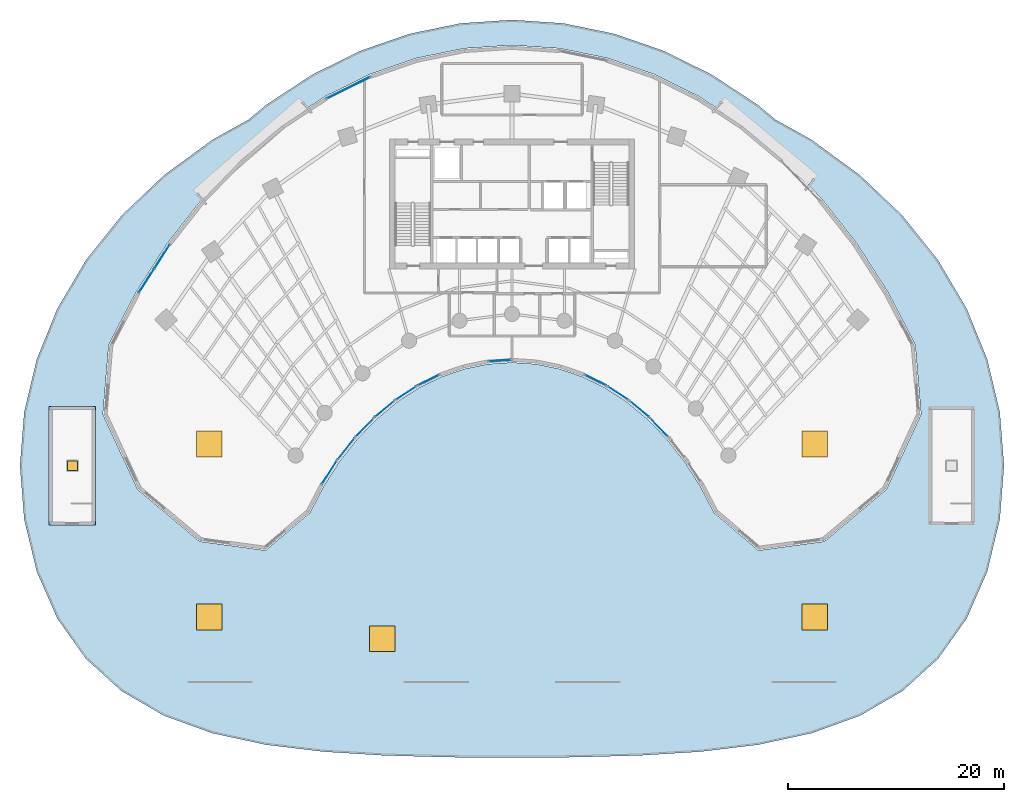
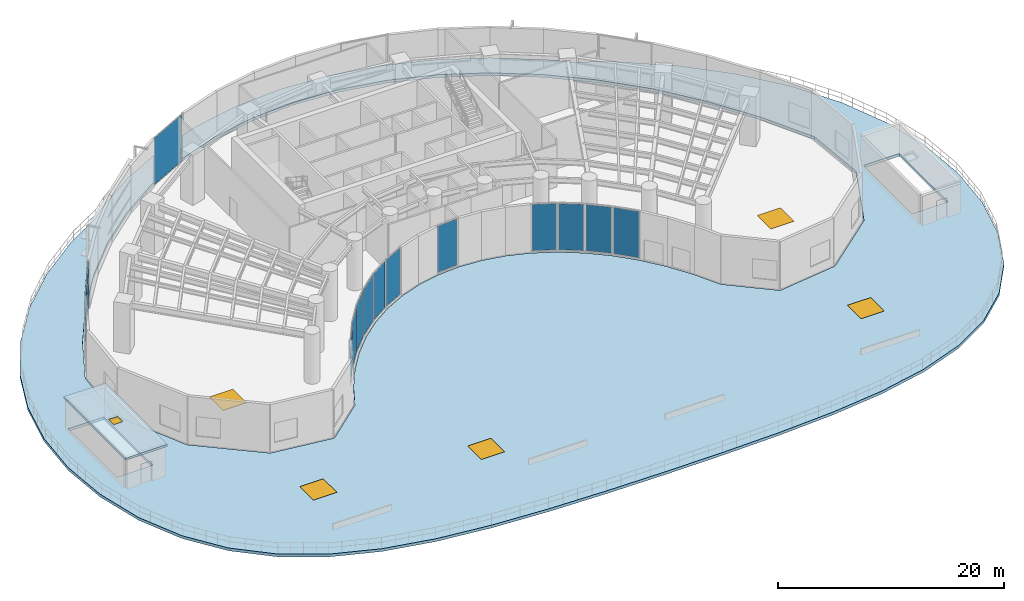
# One storey, part 7 of 17: 16 plates, 5 windows, 2 slabs, 1 door, 6 openings, 13 elements without a shape of their own.
"""IFC4 building model written with IfcOpenShell, lengths in metres."""

from ifc_helpers import new_model, si_unit, direction, frame, origin, origin_2d, place, context, subcontext, project, spatial, polyline, rectangle, outline, extrude, source, transform, mapped, material, layer, layer_set, type_object, type_shapes, element, fill, aggregate, save


model = new_model("IFC4")

# Units and contexts
model_context = context("Model", 3, precision=1e-05, world=origin(), true_north=direction((0.0, 1.0)))
body_context = subcontext(model_context, "Body", "Model", "MODEL_VIEW")
ifc_project = project(units=[si_unit("LENGTHUNIT", "METRE"), si_unit("AREAUNIT", "SQUARE_METRE"), si_unit("VOLUMEUNIT", "CUBIC_METRE"), si_unit("PLANEANGLEUNIT", "RADIAN"), si_unit("MASSUNIT", "GRAM", prefix="KILO")], contexts=[model_context])

# Site, building, storey
site_placement = place(None, origin())
site = spatial("IfcSite", under=ifc_project, at=site_placement, CompositionType="ELEMENT")
building_placement = place(site_placement, origin())
building = spatial("IfcBuilding", under=site, at=building_placement, Name="Breltana Convention Tower", CompositionType="ELEMENT")
storey_placement = place(building_placement, frame((0.0, 0.0, 30.0)))
storey = spatial("IfcBuildingStorey", under=building, at=storey_placement, Name="L05", CompositionType="ELEMENT", Elevation=30.0)

# Slab, opening, door
ifc_material_1 = material(Name="Concrete C40/50", Category="concrete")
ifc_layer_1 = layer(ifc_material_1, 0.2099609375, Name="Concrete C40/50")
ifc_layer_set_1 = layer_set([ifc_layer_1], Name="Concrete C40/50")
slab_type_1 = type_object("IfcSlabType", Name="SL-CANOPY-210", PredefinedType="ROOF", material=ifc_layer_set_1)
slab_1_placement = place(storey_placement, frame((0.0, 0.0, 3.18994140625)))
slab_1 = element("IfcSlab", 1, at=slab_1_placement, inside=storey, type_object=slab_type_1, Name="L05 ST3 stair headhouse roof slab", PredefinedType="ROOF", context=body_context, shape_type="SweptSolid", body=[
    extrude(outline(polyline([(5.199951171875, 36.5), (9.5, 36.5), (9.5, 47.5), (5.199951171875, 47.5), (5.199951171875, 36.5)])), origin(), (0.0, 0.0, 1.0), 0.2099609375),
])
opening_1_placement = place(slab_1_placement, frame((7.35009765625, 42.0, -0.010009765625)))
opening_1 = element("IfcOpeningElement", 2, at=opening_1_placement, cuts=slab_1, Name="Opening RH-02", PredefinedType="OPENING", context=body_context, shape_type="SweptSolid", body=[
    extrude(rectangle(XDim=0.89990234375, YDim=0.89990234375, at=origin_2d()), origin(), (0.0, 0.0, 1.0), 0.22998046875),
])
ifc_material_2 = material(Name="Steel Checkered Access Hatch", Category="steel")
door_type = type_object("IfcDoorType", Name="DR-HATCH-900", OperationType="SINGLE_SWING_LEFT", PredefinedType="TRAPDOOR", material=ifc_material_2)
door_placement = place(slab_1_placement, frame((7.35009765625, 42.0, 0.159912109375)))
door = element("IfcDoor", 3, at=door_placement, inside=storey, type_object=door_type, Name="L05 ST3 headhouse maintenance hatch", OperationType="SINGLE_SWING_LEFT", OverallHeight=0.89990234375, OverallWidth=0.89990234375, PredefinedType="TRAPDOOR", context=body_context, shape_type="SweptSolid", body=[
    extrude(rectangle(XDim=0.89990234375, YDim=0.89990234375, at=origin_2d()), origin(), (0.0, 0.0, 1.0), 0.050048828125),
])
fill(opening_1, door)

# Slab, openings, windows
ifc_layer_2 = layer(ifc_material_1, 0.300048828125, Name="Concrete C40/50")
ifc_layer_set_2 = layer_set([ifc_layer_2], Name="Concrete C40/50")
slab_type_2 = type_object("IfcSlabType", Name="SL-POD-300", PredefinedType="FLOOR", material=ifc_layer_set_2)
slab_2_placement = place(storey_placement, frame((0.0, 0.0, -0.300048828125)))
slab_2 = element("IfcSlab", 4, at=slab_2_placement, inside=storey, type_object=slab_type_2, Name="L05 Raised Public Garden Court Deck 1", PredefinedType="FLOOR", context=body_context, shape_type="SweptSolid", body=[
    extrude(outline(polyline([(80.17333984375, 68.8701171875), (84.09765625, 65.1328125), (87.404296875, 61.0), (90.03662109375, 56.5419921875), (91.94970703125, 51.835205078125), (93.110595703125, 46.9599609375), (93.5, 42.0), (93.110595703125, 37.0400390625), (91.94970703125, 32.20849609375), (90.03662109375, 27.854248046875), (87.404296875, 24.14501953125), (84.09765625, 21.154052734375), (80.17333984375, 18.880615234375), (75.698486328125, 17.2626953125), (70.75, 16.196044921875), (65.412109375, 15.552734375), (59.7763671875, 15.205078125), (53.93896484375, 15.044921875), (48.0, 15.0), (42.06103515625, 15.044921875), (36.2236328125, 15.205078125), (30.587890625, 15.552734375), (25.25, 16.196044921875), (20.301513671875, 17.2626953125), (15.82666015625, 18.880615234375), (11.90234375, 21.154052734375), (8.595703125, 24.14501953125), (5.96337890625, 27.854248046875), (4.05029296875, 32.20849609375), (2.889404296875, 37.0400390625), (2.5, 42.0), (2.889404296875, 46.9599609375), (4.05029296875, 51.835205078125), (5.96337890625, 56.5419921875), (8.595703125, 61.0), (11.90234375, 65.1328125), (15.82666015625, 68.8701171875), (20.301513671875, 72.1474609375), (23.64453125, 74.01318359375), (25.1796875, 75.29345703125), (25.39990234375, 75.456787109375), (29.388916015625, 78.075439453125), (29.64013671875, 78.219482421875), (33.80615234375, 80.284423828125), (34.086181640625, 80.40185546875), (38.38671875, 81.89208984375), (38.690673828125, 81.9755859375), (43.08154296875, 82.8759765625), (43.401123046875, 82.91943359375), (47.83740234375, 83.220458984375), (48.16259765625, 83.220458984375), (52.598876953125, 82.91943359375), (52.91845703125, 82.8759765625), (57.309326171875, 81.9755859375), (57.61328125, 81.89208984375), (61.913818359375, 80.40185546875), (62.19384765625, 80.284423828125), (66.35986328125, 78.219482421875), (66.611083984375, 78.075439453125), (70.60009765625, 75.456787109375), (70.8203125, 75.29345703125), (72.35546875, 74.01318359375), (75.698486328125, 72.1474609375), (80.17333984375, 68.8701171875)]), holes=[polyline([(85.288330078125, 53.183837890625), (85.286865234375, 53.189697265625), (85.284912109375, 53.1953125), (85.282470703125, 53.20068359375), (82.740966796875, 58.08251953125), (82.73828125, 58.08740234375), (79.841552734375, 62.60009765625), (79.83837890625, 62.604736328125), (76.6162109375, 66.701904296875), (76.6123046875, 66.70654296875), (73.097412109375, 70.3466796875), (73.0927734375, 70.35107421875), (69.321533203125, 73.49658203125), (69.31591796875, 73.50048828125), (65.326904296875, 76.119384765625), (65.320556640625, 76.122802734375), (61.154541015625, 78.18798828125), (61.1474609375, 78.19091796875), (56.846923828125, 79.68115234375), (56.83935546875, 79.683349609375), (52.448486328125, 80.583740234375), (52.4404296875, 80.584716796875), (48.004150390625, 80.885986328125), (47.995849609375, 80.885986328125), (43.5595703125, 80.584716796875), (43.551513671875, 80.583740234375), (39.16064453125, 79.683349609375), (39.153076171875, 79.68115234375), (34.8525390625, 78.19091796875), (34.845458984375, 78.18798828125), (30.679443359375, 76.122802734375), (30.673095703125, 76.119384765625), (26.68408203125, 73.50048828125), (26.678466796875, 73.49658203125), (22.9072265625, 70.35107421875), (22.902587890625, 70.3466796875), (19.3876953125, 66.70654296875), (19.3837890625, 66.701904296875), (16.16162109375, 62.604736328125), (16.158447265625, 62.60009765625), (13.26171875, 58.08740234375), (13.259033203125, 58.08251953125), (10.717529296875, 53.20068359375), (10.715087890625, 53.1953125), (10.713134765625, 53.189697265625), (10.711669921875, 53.183837890625), (10.7109375, 53.177978515625), (10.1748046875, 46.76416015625), (10.174560546875, 46.758056640625), (10.175048828125, 46.751708984375), (10.176025390625, 46.74560546875), (10.177734375, 46.73974609375), (10.179931640625, 46.73388671875), (13.37939453125, 39.813720703125), (13.382568359375, 39.807861328125), (13.38623046875, 39.802490234375), (13.390625, 39.79736328125), (13.3955078125, 39.79296875), (19.1083984375, 35.00927734375), (19.11279296875, 35.005859375), (19.11767578125, 35.0029296875), (19.122802734375, 35.00048828125), (19.1279296875, 34.998291015625), (19.13330078125, 34.996826171875), (19.138916015625, 34.995849609375), (25.18310546875, 34.17626953125), (25.188720703125, 34.17578125), (25.1943359375, 34.17578125), (25.199951171875, 34.17626953125), (25.205322265625, 34.177490234375), (25.210693359375, 34.178955078125), (25.2158203125, 34.180908203125), (25.220947265625, 34.18359375), (25.2255859375, 34.1865234375), (25.22998046875, 34.18994140625), (29.297119140625, 37.647216796875), (29.30126953125, 37.651123046875), (29.304931640625, 37.655517578125), (29.308349609375, 37.660400390625), (29.311279296875, 37.665283203125), (30.589599609375, 40.12060546875), (32.044677734375, 42.3876953125), (33.6630859375, 44.445556640625), (35.427978515625, 46.2734375), (37.321533203125, 47.852783203125), (39.32373046875, 49.167236328125), (41.414306640625, 50.20361328125), (43.572021484375, 50.951171875), (45.77490234375, 51.40283203125), (48.0, 51.553955078125), (50.22509765625, 51.40283203125), (52.427978515625, 50.951171875), (54.585693359375, 50.20361328125), (56.67626953125, 49.167236328125), (58.678466796875, 47.852783203125), (60.572021484375, 46.2734375), (62.3369140625, 44.445556640625), (63.955322265625, 42.3876953125), (65.410400390625, 40.12060546875), (66.688720703125, 37.665283203125), (66.691650390625, 37.660400390625), (66.695068359375, 37.655517578125), (66.69873046875, 37.651123046875), (66.702880859375, 37.647216796875), (70.77001953125, 34.18994140625), (70.7744140625, 34.1865234375), (70.779052734375, 34.18359375), (70.7841796875, 34.180908203125), (70.789306640625, 34.178955078125), (70.794677734375, 34.177490234375), (70.800048828125, 34.17626953125), (70.8056640625, 34.17578125), (70.811279296875, 34.17578125), (70.81689453125, 34.17626953125), (76.861083984375, 34.995849609375), (76.86669921875, 34.996826171875), (76.8720703125, 34.998291015625), (76.877197265625, 35.00048828125), (76.88232421875, 35.0029296875), (76.88720703125, 35.005859375), (76.8916015625, 35.00927734375), (82.6044921875, 39.79296875), (82.609375, 39.79736328125), (82.61376953125, 39.802490234375), (82.617431640625, 39.807861328125), (82.62060546875, 39.813720703125), (85.820068359375, 46.73388671875), (85.822265625, 46.73974609375), (85.823974609375, 46.74560546875), (85.824951171875, 46.751708984375), (85.825439453125, 46.758056640625), (85.8251953125, 46.76416015625), (85.2890625, 53.177978515625), (85.288330078125, 53.183837890625)]), polyline([(5.5, 38.5849609375), (9.169921875, 38.5849609375), (9.169921875, 47.199951171875), (5.5, 47.199951171875), (5.5, 38.5849609375)]), polyline([(86.830078125, 38.5849609375), (90.5, 38.5849609375), (90.5, 47.199951171875), (86.830078125, 47.199951171875), (86.830078125, 38.5849609375)])]), origin(), (0.0, 0.0, 1.0), 0.300048828125),
])
opening_2_placement = place(slab_2_placement, frame((20.0, 28.0, -0.010009765625)))
opening_2 = element("IfcOpeningElement", 5, at=opening_2_placement, cuts=slab_2, Name="Opening SK-01", PredefinedType="OPENING", context=body_context, shape_type="SweptSolid", body=[
    extrude(rectangle(XDim=2.39990234375, YDim=2.39990234375, at=origin_2d()), origin(), (0.0, 0.0, 1.0), 0.320068359375),
])
opening_3_placement = place(slab_2_placement, frame((20.0, 44.0, -0.010009765625)))
opening_3 = element("IfcOpeningElement", 6, at=opening_3_placement, cuts=slab_2, Name="Opening SK-01", PredefinedType="OPENING", context=body_context, shape_type="SweptSolid", body=[
    extrude(rectangle(XDim=2.39990234375, YDim=2.39990234375, at=origin_2d()), origin(), (0.0, 0.0, 1.0), 0.320068359375),
])
opening_4_placement = place(slab_2_placement, frame((76.0, 28.0, -0.010009765625)))
opening_4 = element("IfcOpeningElement", 7, at=opening_4_placement, cuts=slab_2, Name="Opening SK-01", PredefinedType="OPENING", context=body_context, shape_type="SweptSolid", body=[
    extrude(rectangle(XDim=2.39990234375, YDim=2.39990234375, at=origin_2d()), origin(), (0.0, 0.0, 1.0), 0.320068359375),
])
opening_5_placement = place(slab_2_placement, frame((76.0, 44.0, -0.010009765625)))
opening_5 = element("IfcOpeningElement", 8, at=opening_5_placement, cuts=slab_2, Name="Opening SK-01", PredefinedType="OPENING", context=body_context, shape_type="SweptSolid", body=[
    extrude(rectangle(XDim=2.39990234375, YDim=2.39990234375, at=origin_2d()), origin(), (0.0, 0.0, 1.0), 0.320068359375),
])
opening_6_placement = place(slab_2_placement, frame((36.0, 26.0, -0.010009765625)))
opening_6 = element("IfcOpeningElement", 9, at=opening_6_placement, cuts=slab_2, Name="Opening SK-01", PredefinedType="OPENING", context=body_context, shape_type="SweptSolid", body=[
    extrude(rectangle(XDim=2.39990234375, YDim=2.39990234375, at=origin_2d()), origin(), (0.0, 0.0, 1.0), 0.320068359375),
])
ifc_material_3 = material(Name="Glass Low-E Insulated Window", Category="glass")
window_type = type_object("IfcWindowType", Name="WN-SKY-2400X2400", PartitioningType="SINGLE_PANEL", PredefinedType="SKYLIGHT", material=ifc_material_3)
window_1_placement = place(slab_2_placement, frame((20.0, 28.0, 0.25)))
window_1 = element("IfcWindow", 10, at=window_1_placement, inside=storey, type_object=window_type, Name="Garden Court Concourse Skylight 1", OverallHeight=2.39990234375, OverallWidth=2.39990234375, PartitioningType="SINGLE_PANEL", PredefinedType="SKYLIGHT", context=body_context, shape_type="SweptSolid", body=[
    extrude(rectangle(XDim=2.39990234375, YDim=2.39990234375, at=origin_2d()), origin(), (0.0, 0.0, 1.0), 0.050048828125),
])
fill(opening_2, window_1)
window_2_placement = place(slab_2_placement, frame((20.0, 44.0, 0.25)))
window_2 = element("IfcWindow", 11, at=window_2_placement, inside=storey, type_object=window_type, Name="Garden Court Concourse Skylight 2", OverallHeight=2.39990234375, OverallWidth=2.39990234375, PartitioningType="SINGLE_PANEL", PredefinedType="SKYLIGHT", context=body_context, shape_type="SweptSolid", body=[
    extrude(rectangle(XDim=2.39990234375, YDim=2.39990234375, at=origin_2d()), origin(), (0.0, 0.0, 1.0), 0.050048828125),
])
fill(opening_3, window_2)
window_3_placement = place(slab_2_placement, frame((76.0, 28.0, 0.25)))
window_3 = element("IfcWindow", 12, at=window_3_placement, inside=storey, type_object=window_type, Name="Garden Court Concourse Skylight 3", OverallHeight=2.39990234375, OverallWidth=2.39990234375, PartitioningType="SINGLE_PANEL", PredefinedType="SKYLIGHT", context=body_context, shape_type="SweptSolid", body=[
    extrude(rectangle(XDim=2.39990234375, YDim=2.39990234375, at=origin_2d()), origin(), (0.0, 0.0, 1.0), 0.050048828125),
])
fill(opening_4, window_3)
window_4_placement = place(slab_2_placement, frame((76.0, 44.0, 0.25)))
window_4 = element("IfcWindow", 13, at=window_4_placement, inside=storey, type_object=window_type, Name="Garden Court Concourse Skylight 4", OverallHeight=2.39990234375, OverallWidth=2.39990234375, PartitioningType="SINGLE_PANEL", PredefinedType="SKYLIGHT", context=body_context, shape_type="SweptSolid", body=[
    extrude(rectangle(XDim=2.39990234375, YDim=2.39990234375, at=origin_2d()), origin(), (0.0, 0.0, 1.0), 0.050048828125),
])
fill(opening_5, window_4)
window_5_placement = place(slab_2_placement, frame((36.0, 26.0, 0.25)))
window_5 = element("IfcWindow", 14, at=window_5_placement, inside=storey, type_object=window_type, Name="Garden Court Concourse Skylight 5", OverallHeight=2.39990234375, OverallWidth=2.39990234375, PartitioningType="SINGLE_PANEL", PredefinedType="SKYLIGHT", context=body_context, shape_type="SweptSolid", body=[
    extrude(rectangle(XDim=2.39990234375, YDim=2.39990234375, at=origin_2d()), origin(), (0.0, 0.0, 1.0), 0.050048828125),
])
fill(opening_6, window_5)

# Curtain wall, plate
ifc_material_4 = material(Name="Aluminium Anodised Bronze Frame", Category="aluminium")
ifc_layer_3 = layer(ifc_material_4, 0.18994140625, Name="Aluminium Anodised Bronze Frame")
ifc_layer_set_3 = layer_set([ifc_layer_3], Name="Aluminium Anodised Bronze Frame")
curtain_wall_type_1 = type_object("IfcCurtainWallType", Name="CW-SYS-1", PredefinedType="NOTDEFINED", material=ifc_layer_set_3)
curtain_wall_1_placement = place(storey_placement, origin())
curtain_wall_1 = element("IfcCurtainWall", 15, at=curtain_wall_1_placement, inside=storey, type_object=curtain_wall_type_1, Name="L05 inner south-court glazing 3", PredefinedType="NOTDEFINED")
ifc_material_5 = material(Name="Glass Low-E Double Glazing", Category="glass")
ifc_layer_4 = layer(ifc_material_5, 0.028076171875, Name="Glass Low-E Double Glazing")
ifc_layer_set_4 = layer_set([ifc_layer_4], Name="Glass Low-E Double Glazing")
plate_type_1 = type_object("IfcPlateType", Name="CWP-IGU-28", PredefinedType="CURTAIN_PANEL", material=ifc_layer_set_4)
shared_shape_1 = source(origin(), body_context, "Body", "SweptSolid", [
    extrude(rectangle(XDim=2.38720703125, YDim=0.028076171875, at=origin_2d()), origin(), (0.0, 0.0, 1.0), 5.0),
])
type_shapes(plate_type_1, [shared_shape_1])
plate_1_placement = place(storey_placement, frame((61.626953125, 45.5263671875, 0.080078125), z_axis=(0.0, 0.0, 1.0), x_axis=(-0.694612029111, 0.719384548773, 0.0)))
plate_1 = element("IfcPlate", 16, at=plate_1_placement, type_object=plate_type_1, Name="CW-01 panel 1.1", PredefinedType="CURTAIN_PANEL", context=body_context, shape_type="MappedRepresentation", body=[
    mapped(shared_shape_1, transform((0.0, 0.0, 0.0), scale=1.0)),
])
aggregate(curtain_wall_1, [plate_1])

curtain_wall_2_placement = place(storey_placement, origin())
curtain_wall_2 = element("IfcCurtainWall", 17, at=curtain_wall_2_placement, inside=storey, type_object=curtain_wall_type_1, Name="L05 inner south-court glazing 11", PredefinedType="NOTDEFINED")
plate_2_placement = place(storey_placement, frame((34.373046875, 45.5263671875, 0.080078125), z_axis=(0.0, 0.0, 1.0), x_axis=(-0.694612029111, -0.719384548773, 0.0)))
plate_2 = element("IfcPlate", 18, at=plate_2_placement, type_object=plate_type_1, Name="CW-01 panel 1.1", PredefinedType="CURTAIN_PANEL", context=body_context, shape_type="MappedRepresentation", body=[
    mapped(shared_shape_1, transform((0.0, 0.0, 0.0), scale=1.0)),
])
aggregate(curtain_wall_2, [plate_2])

curtain_wall_3_placement = place(storey_placement, origin())
curtain_wall_3 = element("IfcCurtainWall", 19, at=curtain_wall_3_placement, inside=storey, type_object=curtain_wall_type_1, Name="L05 inner south-court glazing 4", PredefinedType="NOTDEFINED")
shared_shape_2 = source(origin(), body_context, "Body", "SweptSolid", [
    extrude(rectangle(XDim=2.312255859375, YDim=0.028076171875, at=origin_2d()), origin(), (0.0, 0.0, 1.0), 5.0),
])
plate_3_placement = place(storey_placement, frame((59.77880859375, 47.24755859375, 0.080078125), z_axis=(0.0, 0.0, 1.0), x_axis=(-0.767939382804, 0.640522524458, 0.0)))
plate_3 = element("IfcPlate", 20, at=plate_3_placement, type_object=plate_type_1, Name="CW-01 panel 1.1", PredefinedType="CURTAIN_PANEL", context=body_context, shape_type="MappedRepresentation", body=[
    mapped(shared_shape_2, transform((0.0, 0.0, 0.0), scale=1.0)),
])
aggregate(curtain_wall_3, [plate_3])

curtain_wall_4_placement = place(storey_placement, origin())
curtain_wall_4 = element("IfcCurtainWall", 21, at=curtain_wall_4_placement, inside=storey, type_object=curtain_wall_type_1, Name="L05 inner south-court glazing 10", PredefinedType="NOTDEFINED")
plate_4_placement = place(storey_placement, frame((36.22119140625, 47.24755859375, 0.080078125), z_axis=(0.0, 0.0, 1.0), x_axis=(-0.767939382804, -0.640522524458, 0.0)))
plate_4 = element("IfcPlate", 22, at=plate_4_placement, type_object=plate_type_1, Name="CW-01 panel 1.1", PredefinedType="CURTAIN_PANEL", context=body_context, shape_type="MappedRepresentation", body=[
    mapped(shared_shape_2, transform((0.0, 0.0, 0.0), scale=1.0)),
])
aggregate(curtain_wall_4, [plate_4])

curtain_wall_5_placement = place(storey_placement, origin())
curtain_wall_5 = element("IfcCurtainWall", 23, at=curtain_wall_5_placement, inside=storey, type_object=curtain_wall_type_1, Name="L05 inner south-court glazing 5", PredefinedType="NOTDEFINED")
shared_shape_3 = source(origin(), body_context, "Body", "SweptSolid", [
    extrude(rectangle(XDim=2.2421875, YDim=0.028076171875, at=origin_2d()), origin(), (0.0, 0.0, 1.0), 5.0),
])
plate_5_placement = place(storey_placement, frame((57.80908203125, 48.710693359375, 0.080078125), z_axis=(0.0, 0.0, 1.0), x_axis=(-0.835967942634, 0.548778278441, 0.0)))
plate_5 = element("IfcPlate", 24, at=plate_5_placement, type_object=plate_type_1, Name="CW-01 panel 1.1", PredefinedType="CURTAIN_PANEL", context=body_context, shape_type="MappedRepresentation", body=[
    mapped(shared_shape_3, transform((0.0, 0.0, 0.0), scale=1.0)),
])
aggregate(curtain_wall_5, [plate_5])

curtain_wall_6_placement = place(storey_placement, origin())
curtain_wall_6 = element("IfcCurtainWall", 25, at=curtain_wall_6_placement, inside=storey, type_object=curtain_wall_type_1, Name="L05 inner south-court glazing 9", PredefinedType="NOTDEFINED")
plate_6_placement = place(storey_placement, frame((38.19091796875, 48.710693359375, 0.080078125), z_axis=(0.0, 0.0, 1.0), x_axis=(-0.835967942634, -0.548778278441, 0.0)))
plate_6 = element("IfcPlate", 26, at=plate_6_placement, type_object=plate_type_1, Name="CW-01 panel 1.1", PredefinedType="CURTAIN_PANEL", context=body_context, shape_type="MappedRepresentation", body=[
    mapped(shared_shape_3, transform((0.0, 0.0, 0.0), scale=1.0)),
])
aggregate(curtain_wall_6, [plate_6])

curtain_wall_7_placement = place(storey_placement, origin())
curtain_wall_7 = element("IfcCurtainWall", 27, at=curtain_wall_7_placement, inside=storey, type_object=curtain_wall_type_1, Name="L05 inner south-court glazing 6", PredefinedType="NOTDEFINED")
shared_shape_4 = source(origin(), body_context, "Body", "SweptSolid", [
    extrude(rectangle(XDim=2.180908203125, YDim=0.028076171875, at=origin_2d()), origin(), (0.0, 0.0, 1.0), 5.0),
])
plate_7_placement = place(storey_placement, frame((55.7373046875, 49.900390625, 0.080078125), z_axis=(0.0, 0.0, 1.0), x_axis=(-0.895968310315, 0.444117987602, 0.0)))
plate_7 = element("IfcPlate", 28, at=plate_7_placement, type_object=plate_type_1, Name="CW-01 panel 1.1", PredefinedType="CURTAIN_PANEL", context=body_context, shape_type="MappedRepresentation", body=[
    mapped(shared_shape_4, transform((0.0, 0.0, 0.0), scale=1.0)),
])
aggregate(curtain_wall_7, [plate_7])

curtain_wall_8_placement = place(storey_placement, origin())
curtain_wall_8 = element("IfcCurtainWall", 29, at=curtain_wall_8_placement, inside=storey, type_object=curtain_wall_type_1, Name="L05 inner south-court glazing 8", PredefinedType="NOTDEFINED")
plate_8_placement = place(storey_placement, frame((40.2626953125, 49.900390625, 0.080078125), z_axis=(0.0, 0.0, 1.0), x_axis=(-0.895968310315, -0.444117987602, 0.0)))
plate_8 = element("IfcPlate", 30, at=plate_8_placement, type_object=plate_type_1, Name="CW-01 panel 1.1", PredefinedType="CURTAIN_PANEL", context=body_context, shape_type="MappedRepresentation", body=[
    mapped(shared_shape_4, transform((0.0, 0.0, 0.0), scale=1.0)),
])
aggregate(curtain_wall_8, [plate_8])

curtain_wall_9_placement = place(storey_placement, origin())
curtain_wall_9 = element("IfcCurtainWall", 31, at=curtain_wall_9_placement, inside=storey, type_object=curtain_wall_type_1, Name="L05 inner south-court glazing 7", PredefinedType="NOTDEFINED")
shared_shape_5 = source(origin(), body_context, "Body", "SweptSolid", [
    extrude(rectangle(XDim=2.078369140625, YDim=0.028076171875, at=origin_2d()), origin(), (0.0, 0.0, 1.0), 5.0),
])
plate_9_placement = place(storey_placement, frame((46.87109375, 51.7177734375, 0.080078125), z_axis=(0.0, 0.0, 1.0), x_axis=(-0.997703975371, -0.067725752326, 0.0)))
plate_9 = element("IfcPlate", 32, at=plate_9_placement, type_object=plate_type_1, Name="CW-01 panel 1.1", PredefinedType="CURTAIN_PANEL", context=body_context, shape_type="MappedRepresentation", body=[
    mapped(shared_shape_5, transform((0.0, 0.0, 0.0), scale=1.0)),
])
aggregate(curtain_wall_9, [plate_9])

curtain_wall_10_placement = place(storey_placement, origin())
curtain_wall_10 = element("IfcCurtainWall", 33, at=curtain_wall_10_placement, inside=storey, type_object=curtain_wall_type_1, Name="L05 inner south-court glazing 12", PredefinedType="NOTDEFINED")
shared_shape_6 = source(origin(), body_context, "Body", "SweptSolid", [
    extrude(rectangle(XDim=2.464111328125, YDim=0.028076171875, at=origin_2d()), origin(), (0.0, 0.0, 1.0), 5.0),
])
plate_10_placement = place(storey_placement, frame((32.665283203125, 43.56494140625, 0.080078125), z_axis=(0.0, 0.0, 1.0), x_axis=(-0.61815305034, -0.786057762734, 0.0)))
plate_10 = element("IfcPlate", 34, at=plate_10_placement, type_object=plate_type_1, Name="CW-01 panel 1.1", PredefinedType="CURTAIN_PANEL", context=body_context, shape_type="MappedRepresentation", body=[
    mapped(shared_shape_6, transform((0.0, 0.0, 0.0), scale=1.0)),
])
aggregate(curtain_wall_10, [plate_10])

curtain_wall_11_placement = place(storey_placement, origin())
curtain_wall_11 = element("IfcCurtainWall", 35, at=curtain_wall_11_placement, inside=storey, type_object=curtain_wall_type_1, Name="L05 inner south-court glazing 13", PredefinedType="NOTDEFINED")
shared_shape_7 = source(origin(), body_context, "Body", "SweptSolid", [
    extrude(rectangle(XDim=2.53955078125, YDim=0.028076171875, at=origin_2d()), origin(), (0.0, 0.0, 1.0), 5.0),
])
plate_11_placement = place(storey_placement, frame((31.115234375, 41.3837890625, 0.080078125), z_axis=(0.0, 0.0, 1.0), x_axis=(-0.540169576197, -0.841556194767, 0.0)))
plate_11 = element("IfcPlate", 36, at=plate_11_placement, type_object=plate_type_1, Name="CW-01 panel 1.1", PredefinedType="CURTAIN_PANEL", context=body_context, shape_type="MappedRepresentation", body=[
    mapped(shared_shape_7, transform((0.0, 0.0, 0.0), scale=1.0)),
])
aggregate(curtain_wall_11, [plate_11])

# Curtain wall, plates
ifc_layer_5 = layer(ifc_material_4, 0.239990234375, Name="Aluminium Anodised Bronze Frame")
ifc_layer_set_5 = layer_set([ifc_layer_5], Name="Aluminium Anodised Bronze Frame")
curtain_wall_type_2 = type_object("IfcCurtainWallType", Name="CW-SYS-6", PredefinedType="NOTDEFINED", material=ifc_layer_set_5)
curtain_wall_12_placement = place(storey_placement, origin())
curtain_wall_12 = element("IfcCurtainWall", 37, at=curtain_wall_12_placement, inside=storey, type_object=curtain_wall_type_2, Name="L05 outer double-skin inner glazing 1", PredefinedType="NOTDEFINED")
ifc_layer_6 = layer(ifc_material_5, 0.035888671875, Name="Glass Low-E Double Glazing")
ifc_layer_set_6 = layer_set([ifc_layer_6], Name="Glass Low-E Double Glazing")
plate_type_2 = type_object("IfcPlateType", Name="CWP-IGU-36", PredefinedType="CURTAIN_PANEL", material=ifc_layer_set_6)
shared_shape_8 = source(origin(), body_context, "Body", "SweptSolid", [
    extrude(rectangle(XDim=2.552734375, YDim=0.035888671875, at=origin_2d()), origin(), (0.0, 0.0, 1.0), 3.23388671875),
])
type_shapes(plate_type_2, [shared_shape_8])
plate_12_placement = place(storey_placement, frame((14.20068359375, 59.10595703125, 0.080078125), z_axis=(0.0, 0.0, 1.0), x_axis=(0.540180724109, 0.841549039154, 0.0)))
plate_12 = element("IfcPlate", 38, at=plate_12_placement, type_object=plate_type_2, Name="CW-06 panel 1.1", PredefinedType="CURTAIN_PANEL", context=body_context, shape_type="MappedRepresentation", body=[
    mapped(shared_shape_8, transform((0.0, 0.0, 0.0), scale=1.0)),
])
plate_13_placement = place(storey_placement, frame((15.623046875, 61.321533203125, 0.080078125), z_axis=(0.0, 0.0, 1.0), x_axis=(0.540180724109, 0.841549039154, 0.0)))
plate_13 = element("IfcPlate", 39, at=plate_13_placement, type_object=plate_type_2, Name="CW-06 panel 2.1", PredefinedType="CURTAIN_PANEL", context=body_context, shape_type="MappedRepresentation", body=[
    mapped(shared_shape_8, transform((0.0, 0.0, 0.0), scale=1.0)),
])
shared_shape_9 = source(origin(), body_context, "Body", "SweptSolid", [
    extrude(rectangle(XDim=2.552734375, YDim=0.035888671875, at=origin_2d()), origin(), (0.0, 0.0, 1.0), 1.68603515625),
])
plate_14_placement = place(storey_placement, frame((14.20068359375, 59.10595703125, 3.39404296875), z_axis=(0.0, 0.0, 1.0), x_axis=(0.540180724109, 0.841549039154, 0.0)))
plate_14 = element("IfcPlate", 40, at=plate_14_placement, type_object=plate_type_2, Name="CW-06 panel 1.2", PredefinedType="CURTAIN_PANEL", context=body_context, shape_type="MappedRepresentation", body=[
    mapped(shared_shape_9, transform((0.0, 0.0, 0.0), scale=1.0)),
])
plate_15_placement = place(storey_placement, frame((15.623046875, 61.321533203125, 3.39404296875), z_axis=(0.0, 0.0, 1.0), x_axis=(0.540180724109, 0.841549039154, 0.0)))
plate_15 = element("IfcPlate", 41, at=plate_15_placement, type_object=plate_type_2, Name="CW-06 panel 2.2", PredefinedType="CURTAIN_PANEL", context=body_context, shape_type="MappedRepresentation", body=[
    mapped(shared_shape_9, transform((0.0, 0.0, 0.0), scale=1.0)),
])
aggregate(curtain_wall_12, [plate_12, plate_14, plate_13, plate_15])

# Curtain wall, plate
curtain_wall_13_placement = place(storey_placement, origin())
curtain_wall_13 = element("IfcCurtainWall", 42, at=curtain_wall_13_placement, inside=storey, type_object=curtain_wall_type_2, Name="L05 outer double-skin inner glazing 2", PredefinedType="NOTDEFINED")
shared_shape_10 = source(origin(), body_context, "Body", "SweptSolid", [
    extrude(rectangle(XDim=4.467529296875, YDim=0.035888671875, at=origin_2d()), origin(), (0.0, 0.0, 1.0), 5.0),
])
plate_16_placement = place(storey_placement, frame((32.86865234375, 76.940185546875, 0.080078125), z_axis=(0.0, 0.0, 1.0), x_axis=(0.895973407804, 0.444107703726, 0.0)))
plate_16 = element("IfcPlate", 43, at=plate_16_placement, type_object=plate_type_2, Name="CW-06 panel 1.1", PredefinedType="CURTAIN_PANEL", context=body_context, shape_type="MappedRepresentation", body=[
    mapped(shared_shape_10, transform((0.0, 0.0, 0.0), scale=1.0)),
])
aggregate(curtain_wall_13, [plate_16])

save(model, "model.ifc")
